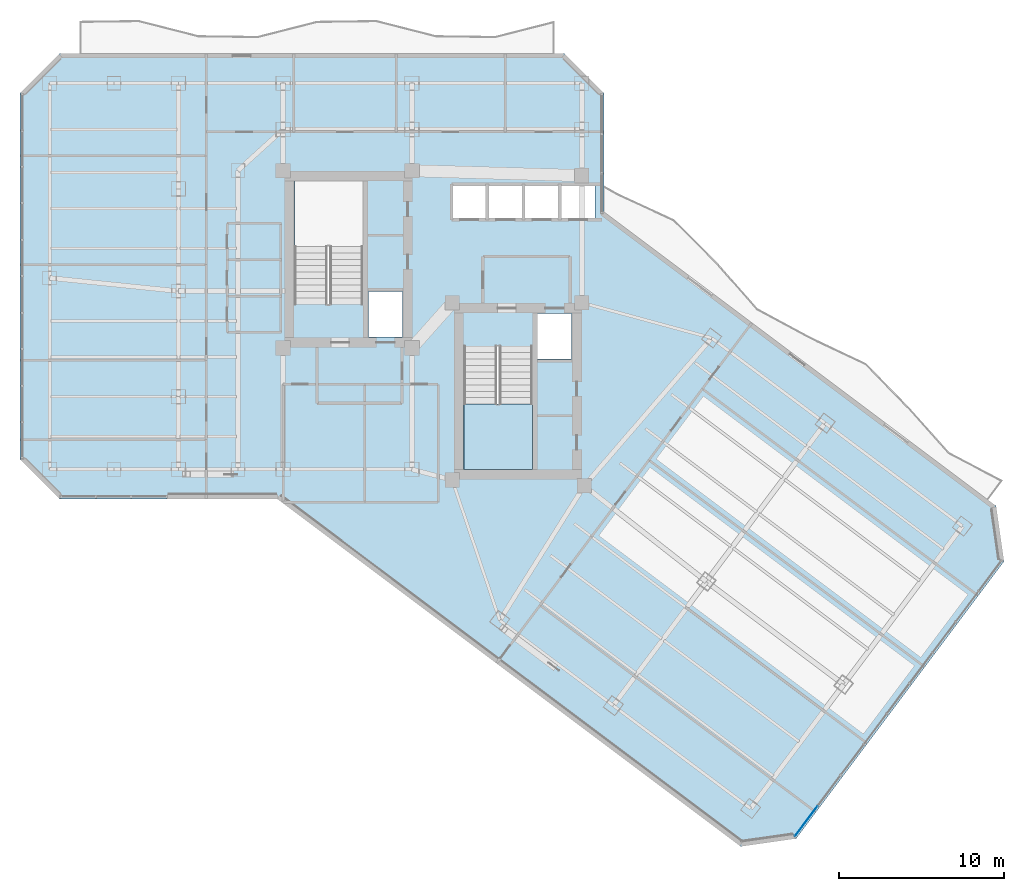
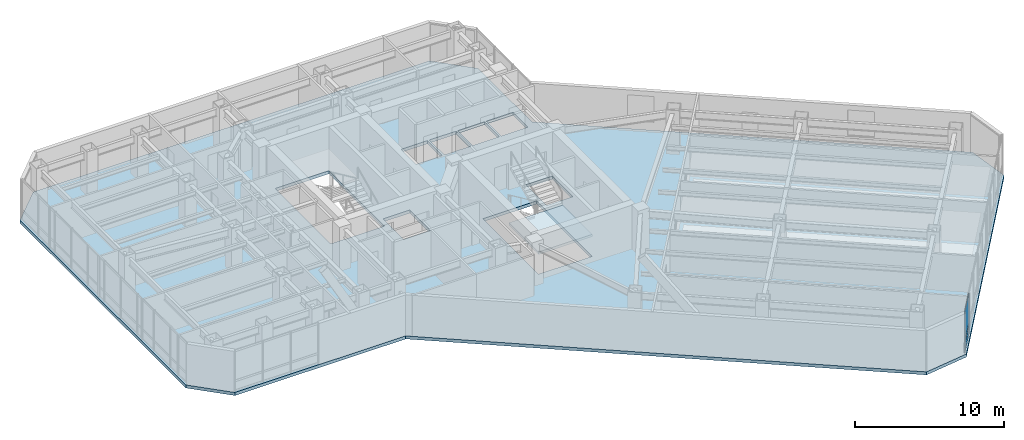
# One storey, part 21 of 31: 2 plates, 2 slabs, 2 elements without a shape of their own.
"""IFC4 building model written with IfcOpenShell, lengths in metres."""

from ifc_helpers import new_model, si_unit, direction, frame, origin, origin_2d, place, context, subcontext, project, spatial, polyline, rectangle, outline, extrude, material, layer, layer_set, type_object, element, aggregate, save


model = new_model("IFC4")

# Units and contexts
model_context = context("Model", 3, precision=1e-05, world=origin(), true_north=direction((0.0, 1.0)))
body_context = subcontext(model_context, "Body", "Model", "MODEL_VIEW")
ifc_project = project(units=[si_unit("LENGTHUNIT", "METRE"), si_unit("AREAUNIT", "SQUARE_METRE"), si_unit("VOLUMEUNIT", "CUBIC_METRE"), si_unit("PLANEANGLEUNIT", "RADIAN"), si_unit("MASSUNIT", "GRAM", prefix="KILO")], contexts=[model_context])

# Site, building, storey
site_placement = place(None, origin())
site = spatial("IfcSite", under=ifc_project, at=site_placement, CompositionType="ELEMENT")
building_placement = place(site_placement, origin())
building = spatial("IfcBuilding", under=site, at=building_placement, Name="Hatsunagi Terrace Concourse", CompositionType="ELEMENT")
storey_placement = place(building_placement, frame((0.0, 0.0, 122.85009765625)))
storey = spatial("IfcBuildingStorey", under=building, at=storey_placement, Name="L32", CompositionType="ELEMENT", Elevation=122.85009765625)

# Curtain wall, plates
ifc_material_1 = material(Name="Anodised Aluminium Alloy 6063-T5", Category="aluminium")
ifc_layer_1 = layer(ifc_material_1, 0.199951171875)
ifc_layer_set_1 = layer_set([ifc_layer_1], Name="OfficeZone1_CW03")
curtain_wall_type = type_object("IfcCurtainWallType", Name="OfficeZone1_CW03", PredefinedType="NOTDEFINED", material=ifc_layer_set_1)
curtain_wall_placement = place(storey_placement, origin())
curtain_wall = element("IfcCurtainWall", 1, at=curtain_wall_placement, inside=storey, type_object=curtain_wall_type, Name="Unitised Curtain Wall CW-03 CW-L32-03", PredefinedType="NOTDEFINED")
ifc_material_2 = material(Name="Warm Terracotta Ceramic Spandrel Panel", Category="masonry")
ifc_layer_2 = layer(ifc_material_2, 0.031982421875)
ifc_layer_set_2 = layer_set([ifc_layer_2], Name="CurtainWallSpandrelPanel_32")
plate_type_1 = type_object("IfcPlateType", Name="CurtainWallSpandrelPanel_32", PredefinedType="SHEET", material=ifc_layer_set_2)
plate_1_placement = place(storey_placement, frame((57.259033203125, 3.8779296875, 0.02978515625), z_axis=(0.0, 0.0, 1.0), x_axis=(-0.599969314634, -0.800023013105, 0.0)))
plate_1 = element("IfcPlate", 2, at=plate_1_placement, type_object=plate_type_1, Name="Terracotta Spandrel Panel SPN-01", PredefinedType="SHEET", context=body_context, shape_type="SweptSolid", body=[
    extrude(rectangle(XDim=2.264892578125, YDim=0.031982421875, at=origin_2d()), origin(), (0.0, 0.0, 1.0), 0.7900390625),
])
ifc_material_3 = material(Name="Low-E Double Insulating Glass 28mm", Category="glass")
ifc_layer_3 = layer(ifc_material_3, 0.028076171875)
ifc_layer_set_3 = layer_set([ifc_layer_3], Name="CurtainWallVisionGlass_28")
plate_type_2 = type_object("IfcPlateType", Name="CurtainWallVisionGlass_28", PredefinedType="CURTAIN_PANEL", material=ifc_layer_set_3)
plate_2_placement = place(storey_placement, frame((57.259033203125, 3.8779296875, 0.8798828125), z_axis=(0.0, 0.0, 1.0), x_axis=(-0.599969314634, -0.800023013105, 0.0)))
plate_2 = element("IfcPlate", 3, at=plate_2_placement, type_object=plate_type_2, Name="Low-E Vision Glass Panel GLZ-01", PredefinedType="CURTAIN_PANEL", context=body_context, shape_type="SweptSolid", body=[
    extrude(rectangle(XDim=2.264892578125, YDim=0.028076171875, at=origin_2d()), origin(), (0.0, 0.0, 1.0), 2.43994140625),
])
aggregate(curtain_wall, [plate_1, plate_2])

# Stair, slab
ifc_material_4 = material(Name="Concrete Fc42", Category="concrete")
stair_type = type_object("IfcStairType", Name="DoglegExitStair_Tower2000_20R_180", PredefinedType="HALF_TURN_STAIR", material=ifc_material_4)
stair_placement = place(storey_placement, origin())
stair = element("IfcStair", 4, at=stair_placement, inside=storey, type_object=stair_type, Name="L32 Core B Protected Exit Stair ST-B", PredefinedType="HALF_TURN_STAIR")
ifc_material_5 = material(Name="Concrete Fc42", Category="concrete")
ifc_layer_4 = layer(ifc_material_5, 0.199951171875)
ifc_layer_set_4 = layer_set([ifc_layer_4], Name="DoglegStairLanding_Tower2000")
slab_type_1 = type_object("IfcSlabType", Name="DoglegStairLanding_Tower2000", PredefinedType="LANDING", material=ifc_layer_set_4)
slab_1_placement = place(storey_placement, frame((0.0, 0.0, 1.599853515625)))
slab_1 = element("IfcSlab", 5, at=slab_1_placement, type_object=slab_type_1, Name="ST-B landing 1", PredefinedType="LANDING", context=body_context, shape_type="SweptSolid", body=[
    extrude(outline(polyline([(36.5, 29.14990234375), (36.5, 25.199951171875), (40.64990234375, 25.199951171875), (40.64990234375, 29.14990234375), (36.5, 29.14990234375)])), origin(), (0.0, 0.0, 1.0), 0.199951171875),
])
aggregate(stair, [slab_1])

# Slab
ifc_material_6 = material(Name="Concrete Fc42", Category="concrete")
ifc_layer_5 = layer(ifc_material_6, 0.25)
ifc_layer_set_5 = layer_set([ifc_layer_5], Name="OfficeCrownSlab_Fc42_250")
slab_type_2 = type_object("IfcSlabType", Name="OfficeCrownSlab_Fc42_250", PredefinedType="FLOOR", material=ifc_layer_set_5)
slab_2_placement = place(storey_placement, frame((0.0, 0.0, -0.25)))
element("IfcSlab", 6, at=slab_2_placement, inside=storey, type_object=slab_type_2, Name="Floor Slab SL-250 L32", PredefinedType="FLOOR", context=body_context, shape_type="SweptSolid", body=[
    extrude(outline(polyline([(45.0, 40.800048828125), (45.0, 48.0), (42.60009765625, 50.39990234375), (12.0, 50.39990234375), (9.60009765625, 48.0), (9.60009765625, 25.800048828125), (12.0, 23.39990234375), (25.199951171875, 23.39990234375), (53.280029296875, 2.340087890625), (56.639892578125, 2.820068359375), (69.239990234375, 19.6201171875), (68.760009765625, 22.97998046875), (45.0, 40.800048828125)]), holes=[polyline([(26.22998046875, 35.205078125), (30.3798828125, 35.205078125), (30.3798828125, 42.659912109375), (26.22998046875, 42.659912109375), (26.22998046875, 35.205078125)]), polyline([(36.5, 25.199951171875), (40.64990234375, 25.199951171875), (40.64990234375, 32.655029296875), (36.5, 32.655029296875), (36.5, 25.199951171875)]), polyline([(30.719970703125, 33.219970703125), (32.780029296875, 33.219970703125), (32.780029296875, 35.97998046875), (30.719970703125, 35.97998046875), (30.719970703125, 33.219970703125)]), polyline([(40.97998046875, 31.8798828125), (43.02001953125, 31.8798828125), (43.02001953125, 34.639892578125), (40.97998046875, 34.639892578125), (40.97998046875, 31.8798828125)]), polyline([(35.800048828125, 40.39990234375), (37.85009765625, 40.39990234375), (37.85009765625, 42.39990234375), (35.800048828125, 42.39990234375), (35.800048828125, 40.39990234375)]), polyline([(38.0, 40.39990234375), (40.050048828125, 40.39990234375), (40.050048828125, 42.39990234375), (38.0, 42.39990234375), (38.0, 40.39990234375)]), polyline([(40.199951171875, 40.39990234375), (42.25, 40.39990234375), (42.25, 42.39990234375), (40.199951171875, 42.39990234375), (40.199951171875, 40.39990234375)]), polyline([(42.39990234375, 40.39990234375), (44.449951171875, 40.39990234375), (44.449951171875, 42.39990234375), (42.39990234375, 42.39990234375), (42.39990234375, 40.39990234375)])]), origin(), (0.0, 0.0, 1.0), 0.25),
])

save(model, "model.ifc")
